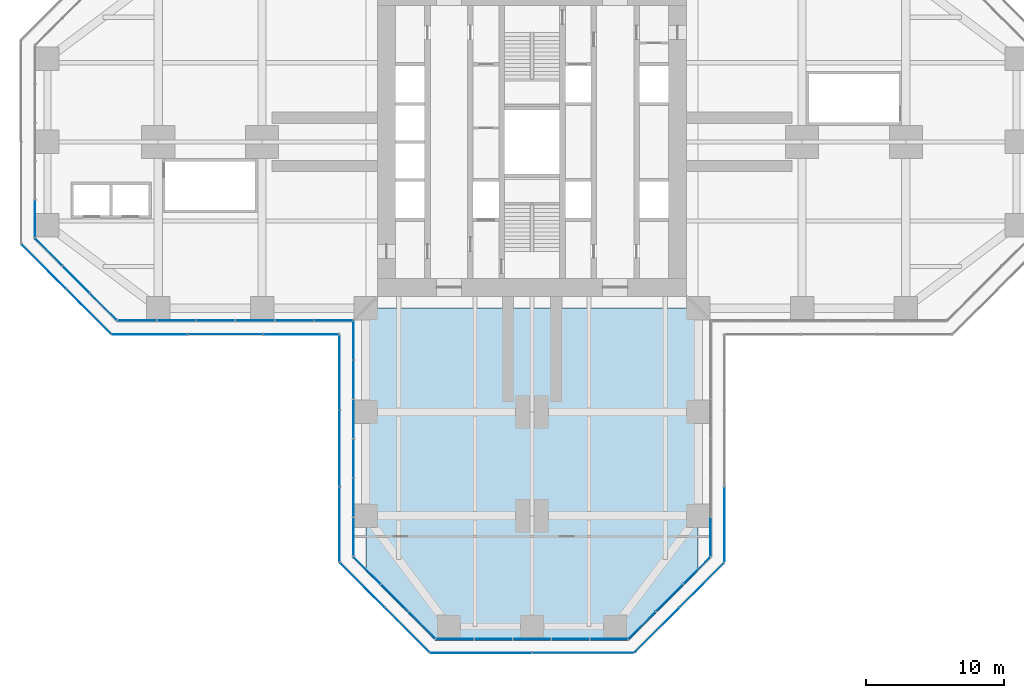
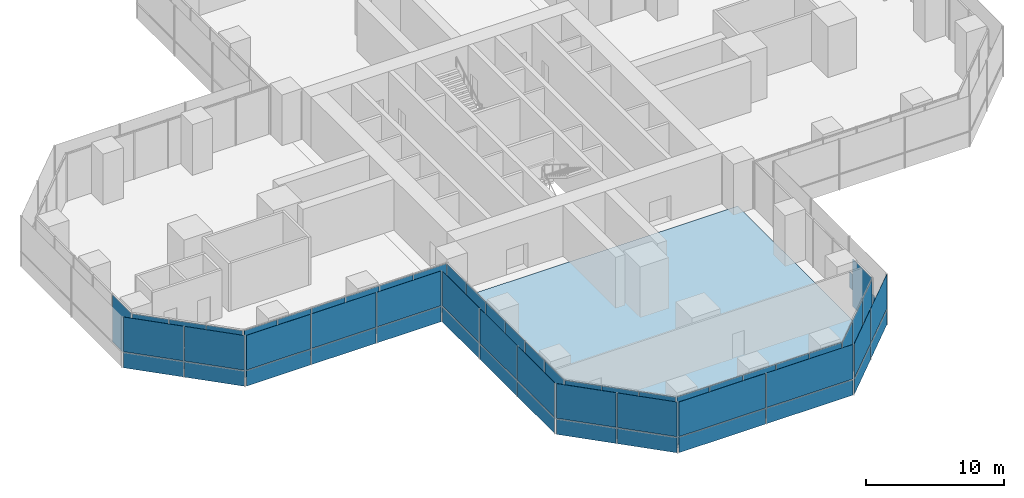
# One storey, part 13 of 21: 57 plates, 1 slab, 15 elements without a shape of their own.
"""IFC4 building model written with IfcOpenShell, lengths in metres."""

from ifc_helpers import new_model, si_unit, direction, frame, origin, origin_2d, place, context, subcontext, project, spatial, polyline, rectangle, outline, extrude, material, layer, layer_set, type_object, element, aggregate, save


model = new_model("IFC4")

# Units and contexts
model_context = context("Model", 3, precision=1e-05, world=origin(), true_north=direction((0.0, 1.0)))
body_context = subcontext(model_context, "Body", "Model", "MODEL_VIEW")
ifc_project = project(units=[si_unit("LENGTHUNIT", "METRE"), si_unit("AREAUNIT", "SQUARE_METRE"), si_unit("VOLUMEUNIT", "CUBIC_METRE"), si_unit("PLANEANGLEUNIT", "RADIAN"), si_unit("MASSUNIT", "GRAM", prefix="KILO")], contexts=[model_context])

# Site, building, storey
site_placement = place(None, origin())
site = spatial("IfcSite", under=ifc_project, at=site_placement, CompositionType="ELEMENT")
building_placement = place(site_placement, origin())
building = spatial("IfcBuilding", under=site, at=building_placement, Name="Mizan Broadcast Tower", CompositionType="ELEMENT")
storey_placement = place(building_placement, frame((0.0, 0.0, 33.0)))
storey = spatial("IfcBuildingStorey", under=building, at=storey_placement, Name="L05", CompositionType="ELEMENT", Elevation=33.0)

# Curtain wall, plates
ifc_material_1 = material(Name="Aluminium framed glazing", Category="aluminium")
curtain_wall_type_1 = type_object("IfcCurtainWallType", Name="OUTER SKIN", PredefinedType="USERDEFINED", material=ifc_material_1)
curtain_wall_1_placement = place(storey_placement, origin())
curtain_wall_1 = element("IfcCurtainWall", 1, at=curtain_wall_1_placement, inside=storey, type_object=curtain_wall_type_1, Name="Outer skin L05 W chamfer", ObjectType="OUTER SKIN", PredefinedType="USERDEFINED")
ifc_material_2 = material(Name="Laminated clear glass", Category="glass")
ifc_layer_1 = layer(ifc_material_2, 0.02001953125)
ifc_layer_set_1 = layer_set([ifc_layer_1], Name="Laminated clear glass")
plate_type_1 = type_object("IfcPlateType", Name="OUTER SKIN CLEAR GLASS", PredefinedType="CURTAIN_PANEL", material=ifc_layer_set_1)
plate_1_placement = place(storey_placement, frame((-35.254150390625, -9.018798828125, 0.0), z_axis=(0.0, 0.0, 1.0), x_axis=(0.707106781187, -0.707106781187, 0.0)))
plate_1 = element("IfcPlate", 2, at=plate_1_placement, type_object=plate_type_1, Name="Outer skin L05 W chamfer panel 1.1", PredefinedType="CURTAIN_PANEL", context=body_context, shape_type="SweptSolid", body=[
    extrude(rectangle(XDim=4.495361328125, YDim=0.02001953125, at=origin_2d()), origin(), (0.0, 0.0, 1.0), 1.3701171875),
])
plate_2_placement = place(storey_placement, frame((-35.254150390625, -9.018798828125, 1.43017578125), z_axis=(0.0, 0.0, 1.0), x_axis=(0.707106781187, -0.707106781187, 0.0)))
plate_2 = element("IfcPlate", 3, at=plate_2_placement, type_object=plate_type_1, Name="Outer skin L05 W chamfer panel 1.2", PredefinedType="CURTAIN_PANEL", context=body_context, shape_type="SweptSolid", body=[
    extrude(rectangle(XDim=4.495361328125, YDim=0.02001953125, at=origin_2d()), origin(), (0.0, 0.0, 1.0), 3.070068359375),
])

curtain_wall_2_placement = place(storey_placement, origin())
curtain_wall_2 = element("IfcCurtainWall", 4, at=curtain_wall_2_placement, inside=storey, type_object=curtain_wall_type_1, Name="Outer skin L05 W side", ObjectType="OUTER SKIN", PredefinedType="USERDEFINED")
plate_3_placement = place(storey_placement, frame((-27.607421875, -13.89990234375, 0.0), z_axis=(0.0, 0.0, 1.0), x_axis=(1.0, 0.0, 0.0)))
plate_3 = element("IfcPlate", 5, at=plate_3_placement, type_object=plate_type_1, Name="Outer skin L05 W side panel 1.1", PredefinedType="CURTAIN_PANEL", context=body_context, shape_type="SweptSolid", body=[
    extrude(rectangle(XDim=5.370849609375, YDim=0.02001953125, at=origin_2d()), origin(), (0.0, 0.0, 1.0), 1.3701171875),
])
plate_4_placement = place(storey_placement, frame((-27.607421875, -13.89990234375, 1.43017578125), z_axis=(0.0, 0.0, 1.0), x_axis=(1.0, 0.0, 0.0)))
plate_4 = element("IfcPlate", 6, at=plate_4_placement, type_object=plate_type_1, Name="Outer skin L05 W side panel 1.2", PredefinedType="CURTAIN_PANEL", context=body_context, shape_type="SweptSolid", body=[
    extrude(rectangle(XDim=5.370849609375, YDim=0.02001953125, at=origin_2d()), origin(), (0.0, 0.0, 1.0), 3.070068359375),
])
plate_5_placement = place(storey_placement, frame((-16.66552734375, -13.89990234375, 0.0), z_axis=(0.0, 0.0, 1.0), x_axis=(1.0, 0.0, 0.0)))
plate_5 = element("IfcPlate", 7, at=plate_5_placement, type_object=plate_type_1, Name="Outer skin L05 W side panel 3.1", PredefinedType="CURTAIN_PANEL", context=body_context, shape_type="SweptSolid", body=[
    extrude(rectangle(XDim=5.370849609375, YDim=0.02001953125, at=origin_2d()), origin(), (0.0, 0.0, 1.0), 1.3701171875),
])
plate_6_placement = place(storey_placement, frame((-16.66552734375, -13.89990234375, 1.43017578125), z_axis=(0.0, 0.0, 1.0), x_axis=(1.0, 0.0, 0.0)))
plate_6 = element("IfcPlate", 8, at=plate_6_placement, type_object=plate_type_1, Name="Outer skin L05 W side panel 3.2", PredefinedType="CURTAIN_PANEL", context=body_context, shape_type="SweptSolid", body=[
    extrude(rectangle(XDim=5.370849609375, YDim=0.02001953125, at=origin_2d()), origin(), (0.0, 0.0, 1.0), 3.070068359375),
])

curtain_wall_3_placement = place(storey_placement, origin())
curtain_wall_3 = element("IfcCurtainWall", 9, at=curtain_wall_3_placement, inside=storey, type_object=curtain_wall_type_1, Name="Outer skin L05 S side", ObjectType="OUTER SKIN", PredefinedType="USERDEFINED")
plate_7_placement = place(storey_placement, frame((-13.89990234375, -16.66552734375, 0.0), z_axis=(0.0, 0.0, 1.0), x_axis=(0.0, -1.0, 0.0)))
plate_7 = element("IfcPlate", 10, at=plate_7_placement, type_object=plate_type_1, Name="Outer skin L05 S side panel 1.1", PredefinedType="CURTAIN_PANEL", context=body_context, shape_type="SweptSolid", body=[
    extrude(rectangle(XDim=5.370849609375, YDim=0.02001953125, at=origin_2d()), origin(), (0.0, 0.0, 1.0), 1.3701171875),
])
plate_8_placement = place(storey_placement, frame((-13.89990234375, -16.66552734375, 1.43017578125), z_axis=(0.0, 0.0, 1.0), x_axis=(0.0, -1.0, 0.0)))
plate_8 = element("IfcPlate", 11, at=plate_8_placement, type_object=plate_type_1, Name="Outer skin L05 S side panel 1.2", PredefinedType="CURTAIN_PANEL", context=body_context, shape_type="SweptSolid", body=[
    extrude(rectangle(XDim=5.370849609375, YDim=0.02001953125, at=origin_2d()), origin(), (0.0, 0.0, 1.0), 3.070068359375),
])
plate_9_placement = place(storey_placement, frame((-13.89990234375, -27.607421875, 0.0), z_axis=(0.0, 0.0, 1.0), x_axis=(0.0, -1.0, 0.0)))
plate_9 = element("IfcPlate", 12, at=plate_9_placement, type_object=plate_type_1, Name="Outer skin L05 S side panel 3.1", PredefinedType="CURTAIN_PANEL", context=body_context, shape_type="SweptSolid", body=[
    extrude(rectangle(XDim=5.370849609375, YDim=0.02001953125, at=origin_2d()), origin(), (0.0, 0.0, 1.0), 1.3701171875),
])
plate_10_placement = place(storey_placement, frame((-13.89990234375, -27.607421875, 1.43017578125), z_axis=(0.0, 0.0, 1.0), x_axis=(0.0, -1.0, 0.0)))
plate_10 = element("IfcPlate", 13, at=plate_10_placement, type_object=plate_type_1, Name="Outer skin L05 S side panel 3.2", PredefinedType="CURTAIN_PANEL", context=body_context, shape_type="SweptSolid", body=[
    extrude(rectangle(XDim=5.370849609375, YDim=0.02001953125, at=origin_2d()), origin(), (0.0, 0.0, 1.0), 3.070068359375),
])

curtain_wall_4_placement = place(storey_placement, origin())
curtain_wall_4 = element("IfcCurtainWall", 14, at=curtain_wall_4_placement, inside=storey, type_object=curtain_wall_type_1, Name="Outer skin L05 S chamfer", ObjectType="OUTER SKIN", PredefinedType="USERDEFINED")
plate_11_placement = place(storey_placement, frame((-12.254150390625, -32.018798828125, 0.0), z_axis=(0.0, 0.0, 1.0), x_axis=(0.707106781187, -0.707106781187, 0.0)))
plate_11 = element("IfcPlate", 15, at=plate_11_placement, type_object=plate_type_1, Name="Outer skin L05 S chamfer panel 1.1", PredefinedType="CURTAIN_PANEL", context=body_context, shape_type="SweptSolid", body=[
    extrude(rectangle(XDim=4.495361328125, YDim=0.02001953125, at=origin_2d()), origin(), (0.0, 0.0, 1.0), 1.3701171875),
])
plate_12_placement = place(storey_placement, frame((-12.254150390625, -32.018798828125, 1.43017578125), z_axis=(0.0, 0.0, 1.0), x_axis=(0.707106781187, -0.707106781187, 0.0)))
plate_12 = element("IfcPlate", 16, at=plate_12_placement, type_object=plate_type_1, Name="Outer skin L05 S chamfer panel 1.2", PredefinedType="CURTAIN_PANEL", context=body_context, shape_type="SweptSolid", body=[
    extrude(rectangle(XDim=4.495361328125, YDim=0.02001953125, at=origin_2d()), origin(), (0.0, 0.0, 1.0), 3.070068359375),
])

curtain_wall_5_placement = place(storey_placement, origin())
curtain_wall_5 = element("IfcCurtainWall", 17, at=curtain_wall_5_placement, inside=storey, type_object=curtain_wall_type_1, Name="Outer skin L05 S end", ObjectType="OUTER SKIN", PredefinedType="USERDEFINED")
plate_13_placement = place(storey_placement, frame((-3.66650390625, -36.89990234375, 0.0), z_axis=(0.0, 0.0, 1.0), x_axis=(1.0, 0.0, 0.0)))
plate_13 = element("IfcPlate", 18, at=plate_13_placement, type_object=plate_type_1, Name="Outer skin L05 S end panel 1.1", PredefinedType="CURTAIN_PANEL", context=body_context, shape_type="SweptSolid", body=[
    extrude(rectangle(XDim=7.252685546875, YDim=0.02001953125, at=origin_2d()), origin(), (0.0, 0.0, 1.0), 1.3701171875),
])
plate_14_placement = place(storey_placement, frame((-3.66650390625, -36.89990234375, 1.43017578125), z_axis=(0.0, 0.0, 1.0), x_axis=(1.0, 0.0, 0.0)))
plate_14 = element("IfcPlate", 19, at=plate_14_placement, type_object=plate_type_1, Name="Outer skin L05 S end panel 1.2", PredefinedType="CURTAIN_PANEL", context=body_context, shape_type="SweptSolid", body=[
    extrude(rectangle(XDim=7.252685546875, YDim=0.02001953125, at=origin_2d()), origin(), (0.0, 0.0, 1.0), 3.070068359375),
])

curtain_wall_6_placement = place(storey_placement, origin())
curtain_wall_6 = element("IfcCurtainWall", 20, at=curtain_wall_6_placement, inside=storey, type_object=curtain_wall_type_1, Name="Outer skin L05 S chamfer", ObjectType="OUTER SKIN", PredefinedType="USERDEFINED")
plate_15_placement = place(storey_placement, frame((9.018798828125, -35.254150390625, 0.0), z_axis=(0.0, 0.0, 1.0), x_axis=(0.707106781187, 0.707106781187, 0.0)))
plate_15 = element("IfcPlate", 21, at=plate_15_placement, type_object=plate_type_1, Name="Outer skin L05 S chamfer panel 1.1", PredefinedType="CURTAIN_PANEL", context=body_context, shape_type="SweptSolid", body=[
    extrude(rectangle(XDim=4.495361328125, YDim=0.02001953125, at=origin_2d()), origin(), (0.0, 0.0, 1.0), 1.3701171875),
])
plate_16_placement = place(storey_placement, frame((9.018798828125, -35.254150390625, 1.43017578125), z_axis=(0.0, 0.0, 1.0), x_axis=(0.707106781187, 0.707106781187, 0.0)))
plate_16 = element("IfcPlate", 22, at=plate_16_placement, type_object=plate_type_1, Name="Outer skin L05 S chamfer panel 1.2", PredefinedType="CURTAIN_PANEL", context=body_context, shape_type="SweptSolid", body=[
    extrude(rectangle(XDim=4.495361328125, YDim=0.02001953125, at=origin_2d()), origin(), (0.0, 0.0, 1.0), 3.070068359375),
])

# Curtain wall, plate
curtain_wall_7_placement = place(storey_placement, origin())
curtain_wall_7 = element("IfcCurtainWall", 23, at=curtain_wall_7_placement, inside=storey, type_object=curtain_wall_type_1, Name="Outer skin L05 S side", ObjectType="OUTER SKIN", PredefinedType="USERDEFINED")
plate_17_placement = place(storey_placement, frame((13.89990234375, -27.607421875, 0.0), z_axis=(0.0, 0.0, 1.0), x_axis=(0.0, 1.0, 0.0)))
plate_17 = element("IfcPlate", 24, at=plate_17_placement, type_object=plate_type_1, Name="Outer skin L05 S side panel 1.1", PredefinedType="CURTAIN_PANEL", context=body_context, shape_type="SweptSolid", body=[
    extrude(rectangle(XDim=5.370849609375, YDim=0.02001953125, at=origin_2d()), origin(), (0.0, 0.0, 1.0), 1.3701171875),
])
aggregate(curtain_wall_7, [plate_17])

# Plate
ifc_material_3 = material(Name="Perforated aluminium, pale anodised", Category="aluminium")
ifc_layer_2 = layer(ifc_material_3, 0.011962890625)
ifc_layer_set_2 = layer_set([ifc_layer_2], Name="Perforated aluminium, pale anodised")
plate_type_2 = type_object("IfcPlateType", Name="OUTER SKIN PERFORATED SCREEN", PredefinedType="USERDEFINED", material=ifc_layer_set_2)
plate_18_placement = place(storey_placement, frame((-32.018798828125, -12.254150390625, 0.0), z_axis=(0.0, 0.0, 1.0), x_axis=(0.707106781187, -0.707106781187, 0.0)))
plate_18 = element("IfcPlate", 25, at=plate_18_placement, type_object=plate_type_2, Name="Outer skin L05 W chamfer panel 2.1", ObjectType="SCREEN", PredefinedType="USERDEFINED", context=body_context, shape_type="SweptSolid", body=[
    extrude(rectangle(XDim=4.495361328125, YDim=0.011962890625, at=origin_2d()), origin(), (0.0, 0.0, 1.0), 1.3701171875),
])

plate_19_placement = place(storey_placement, frame((-32.018798828125, -12.254150390625, 1.43017578125), z_axis=(0.0, 0.0, 1.0), x_axis=(0.707106781187, -0.707106781187, 0.0)))
plate_19 = element("IfcPlate", 26, at=plate_19_placement, type_object=plate_type_2, Name="Outer skin L05 W chamfer panel 2.2", ObjectType="SCREEN", PredefinedType="USERDEFINED", context=body_context, shape_type="SweptSolid", body=[
    extrude(rectangle(XDim=4.495361328125, YDim=0.011962890625, at=origin_2d()), origin(), (0.0, 0.0, 1.0), 3.070068359375),
])

aggregate(curtain_wall_1, [plate_1, plate_2, plate_18, plate_19])

plate_20_placement = place(storey_placement, frame((-22.136474609375, -13.89990234375, 0.0), z_axis=(0.0, 0.0, 1.0), x_axis=(1.0, 0.0, 0.0)))
plate_20 = element("IfcPlate", 27, at=plate_20_placement, type_object=plate_type_2, Name="Outer skin L05 W side panel 2.1", ObjectType="SCREEN", PredefinedType="USERDEFINED", context=body_context, shape_type="SweptSolid", body=[
    extrude(rectangle(XDim=5.410888671875, YDim=0.011962890625, at=origin_2d()), origin(), (0.0, 0.0, 1.0), 1.3701171875),
])

plate_21_placement = place(storey_placement, frame((-22.136474609375, -13.89990234375, 1.43017578125), z_axis=(0.0, 0.0, 1.0), x_axis=(1.0, 0.0, 0.0)))
plate_21 = element("IfcPlate", 28, at=plate_21_placement, type_object=plate_type_2, Name="Outer skin L05 W side panel 2.2", ObjectType="SCREEN", PredefinedType="USERDEFINED", context=body_context, shape_type="SweptSolid", body=[
    extrude(rectangle(XDim=5.410888671875, YDim=0.011962890625, at=origin_2d()), origin(), (0.0, 0.0, 1.0), 3.070068359375),
])

aggregate(curtain_wall_2, [plate_3, plate_4, plate_20, plate_21, plate_5, plate_6])

plate_22_placement = place(storey_placement, frame((-13.89990234375, -22.136474609375, 0.0), z_axis=(0.0, 0.0, 1.0), x_axis=(0.0, -1.0, 0.0)))
plate_22 = element("IfcPlate", 29, at=plate_22_placement, type_object=plate_type_2, Name="Outer skin L05 S side panel 2.1", ObjectType="SCREEN", PredefinedType="USERDEFINED", context=body_context, shape_type="SweptSolid", body=[
    extrude(rectangle(XDim=5.410888671875, YDim=0.011962890625, at=origin_2d()), origin(), (0.0, 0.0, 1.0), 1.3701171875),
])

plate_23_placement = place(storey_placement, frame((-13.89990234375, -22.136474609375, 1.43017578125), z_axis=(0.0, 0.0, 1.0), x_axis=(0.0, -1.0, 0.0)))
plate_23 = element("IfcPlate", 30, at=plate_23_placement, type_object=plate_type_2, Name="Outer skin L05 S side panel 2.2", ObjectType="SCREEN", PredefinedType="USERDEFINED", context=body_context, shape_type="SweptSolid", body=[
    extrude(rectangle(XDim=5.410888671875, YDim=0.011962890625, at=origin_2d()), origin(), (0.0, 0.0, 1.0), 3.070068359375),
])

aggregate(curtain_wall_3, [plate_7, plate_8, plate_22, plate_23, plate_9, plate_10])

plate_24_placement = place(storey_placement, frame((-9.018798828125, -35.254150390625, 0.0), z_axis=(0.0, 0.0, 1.0), x_axis=(0.707106781187, -0.707106781187, 0.0)))
plate_24 = element("IfcPlate", 31, at=plate_24_placement, type_object=plate_type_2, Name="Outer skin L05 S chamfer panel 2.1", ObjectType="SCREEN", PredefinedType="USERDEFINED", context=body_context, shape_type="SweptSolid", body=[
    extrude(rectangle(XDim=4.495361328125, YDim=0.011962890625, at=origin_2d()), origin(), (0.0, 0.0, 1.0), 1.3701171875),
])

plate_25_placement = place(storey_placement, frame((-9.018798828125, -35.254150390625, 1.43017578125), z_axis=(0.0, 0.0, 1.0), x_axis=(0.707106781187, -0.707106781187, 0.0)))
plate_25 = element("IfcPlate", 32, at=plate_25_placement, type_object=plate_type_2, Name="Outer skin L05 S chamfer panel 2.2", ObjectType="SCREEN", PredefinedType="USERDEFINED", context=body_context, shape_type="SweptSolid", body=[
    extrude(rectangle(XDim=4.495361328125, YDim=0.011962890625, at=origin_2d()), origin(), (0.0, 0.0, 1.0), 3.070068359375),
])

aggregate(curtain_wall_4, [plate_11, plate_12, plate_24, plate_25])

plate_26_placement = place(storey_placement, frame((3.66650390625, -36.89990234375, 0.0), z_axis=(0.0, 0.0, 1.0), x_axis=(1.0, 0.0, 0.0)))
plate_26 = element("IfcPlate", 33, at=plate_26_placement, type_object=plate_type_2, Name="Outer skin L05 S end panel 2.1", ObjectType="SCREEN", PredefinedType="USERDEFINED", context=body_context, shape_type="SweptSolid", body=[
    extrude(rectangle(XDim=7.252685546875, YDim=0.011962890625, at=origin_2d()), origin(), (0.0, 0.0, 1.0), 1.3701171875),
])

plate_27_placement = place(storey_placement, frame((3.66650390625, -36.89990234375, 1.43017578125), z_axis=(0.0, 0.0, 1.0), x_axis=(1.0, 0.0, 0.0)))
plate_27 = element("IfcPlate", 34, at=plate_27_placement, type_object=plate_type_2, Name="Outer skin L05 S end panel 2.2", ObjectType="SCREEN", PredefinedType="USERDEFINED", context=body_context, shape_type="SweptSolid", body=[
    extrude(rectangle(XDim=7.252685546875, YDim=0.011962890625, at=origin_2d()), origin(), (0.0, 0.0, 1.0), 3.070068359375),
])

aggregate(curtain_wall_5, [plate_13, plate_14, plate_26, plate_27])

plate_28_placement = place(storey_placement, frame((12.254150390625, -32.018798828125, 0.0), z_axis=(0.0, 0.0, 1.0), x_axis=(0.707106781187, 0.707106781187, 0.0)))
plate_28 = element("IfcPlate", 35, at=plate_28_placement, type_object=plate_type_2, Name="Outer skin L05 S chamfer panel 2.1", ObjectType="SCREEN", PredefinedType="USERDEFINED", context=body_context, shape_type="SweptSolid", body=[
    extrude(rectangle(XDim=4.495361328125, YDim=0.011962890625, at=origin_2d()), origin(), (0.0, 0.0, 1.0), 1.3701171875),
])

plate_29_placement = place(storey_placement, frame((12.254150390625, -32.018798828125, 1.43017578125), z_axis=(0.0, 0.0, 1.0), x_axis=(0.707106781187, 0.707106781187, 0.0)))
plate_29 = element("IfcPlate", 36, at=plate_29_placement, type_object=plate_type_2, Name="Outer skin L05 S chamfer panel 2.2", ObjectType="SCREEN", PredefinedType="USERDEFINED", context=body_context, shape_type="SweptSolid", body=[
    extrude(rectangle(XDim=4.495361328125, YDim=0.011962890625, at=origin_2d()), origin(), (0.0, 0.0, 1.0), 3.070068359375),
])

aggregate(curtain_wall_6, [plate_15, plate_16, plate_28, plate_29])

# Curtain wall, plate
ifc_material_4 = material(Name="Aluminium framed glazing", Category="aluminium")
curtain_wall_type_2 = type_object("IfcCurtainWallType", Name="PODIUM CURTAIN WALL", PredefinedType="USERDEFINED", material=ifc_material_4)
curtain_wall_8_placement = place(storey_placement, origin())
curtain_wall_8 = element("IfcCurtainWall", 37, at=curtain_wall_8_placement, inside=storey, type_object=curtain_wall_type_2, Name="Podium curtain wall L05 W end", ObjectType="PODIUM CURTAIN WALL", PredefinedType="USERDEFINED")
ifc_material_5 = material(Name="Double glazing, clear laminated", Category="glass")
ifc_layer_3 = layer(ifc_material_5, 0.031982421875)
ifc_layer_set_3 = layer_set([ifc_layer_3], Name="Double glazing, clear laminated")
plate_type_3 = type_object("IfcPlateType", Name="PODIUM GLAZING UNIT", PredefinedType="CURTAIN_PANEL", material=ifc_layer_set_3)
plate_30_placement = place(storey_placement, frame((-35.89990234375, -5.5517578125, 0.0), z_axis=(0.0, 0.0, 1.0), x_axis=(0.0, -1.0, 0.0)))
plate_30 = element("IfcPlate", 38, at=plate_30_placement, type_object=plate_type_3, Name="Podium curtain wall L05 W end panel 5.1", PredefinedType="CURTAIN_PANEL", context=body_context, shape_type="SweptSolid", body=[
    extrude(rectangle(XDim=2.693359375, YDim=0.031982421875, at=origin_2d()), origin(), (0.0, 0.0, 1.0), 4.18994140625),
])
aggregate(curtain_wall_8, [plate_30])

# Curtain wall, plates
curtain_wall_9_placement = place(storey_placement, origin())
curtain_wall_9 = element("IfcCurtainWall", 39, at=curtain_wall_9_placement, inside=storey, type_object=curtain_wall_type_2, Name="Podium curtain wall L05 W chamfer", ObjectType="PODIUM CURTAIN WALL", PredefinedType="USERDEFINED")
plate_31_placement = place(storey_placement, frame((-34.899169921875, -7.95947265625, 0.0), z_axis=(0.0, 0.0, 1.0), x_axis=(0.707106781187, -0.707106781187, 0.0)))
plate_31 = element("IfcPlate", 40, at=plate_31_placement, type_object=plate_type_3, Name="Podium curtain wall L05 W chamfer panel 1.1", PredefinedType="CURTAIN_PANEL", context=body_context, shape_type="SweptSolid", body=[
    extrude(rectangle(XDim=2.710693359375, YDim=0.031982421875, at=origin_2d()), origin(), (0.0, 0.0, 1.0), 4.18994140625),
])
plate_32_placement = place(storey_placement, frame((-32.92919921875, -9.92919921875, 0.0), z_axis=(0.0, 0.0, 1.0), x_axis=(0.707106781187, -0.707106781187, 0.0)))
plate_32 = element("IfcPlate", 41, at=plate_32_placement, type_object=plate_type_3, Name="Podium curtain wall L05 W chamfer panel 2.1", PredefinedType="CURTAIN_PANEL", context=body_context, shape_type="SweptSolid", body=[
    extrude(rectangle(XDim=2.74072265625, YDim=0.031982421875, at=origin_2d()), origin(), (0.0, 0.0, 1.0), 4.18994140625),
])
plate_33_placement = place(storey_placement, frame((-30.95947265625, -11.899169921875, 0.0), z_axis=(0.0, 0.0, 1.0), x_axis=(0.707106781187, -0.707106781187, 0.0)))
plate_33 = element("IfcPlate", 42, at=plate_33_placement, type_object=plate_type_3, Name="Podium curtain wall L05 W chamfer panel 3.1", PredefinedType="CURTAIN_PANEL", context=body_context, shape_type="SweptSolid", body=[
    extrude(rectangle(XDim=2.710693359375, YDim=0.031982421875, at=origin_2d()), origin(), (0.0, 0.0, 1.0), 4.18994140625),
])
aggregate(curtain_wall_9, [plate_31, plate_32, plate_33])

curtain_wall_10_placement = place(storey_placement, origin())
curtain_wall_10 = element("IfcCurtainWall", 43, at=curtain_wall_10_placement, inside=storey, type_object=curtain_wall_type_2, Name="Podium curtain wall L05 W side", ObjectType="PODIUM CURTAIN WALL", PredefinedType="USERDEFINED")
plate_34_placement = place(storey_placement, frame((-28.52197265625, -12.89990234375, 0.0), z_axis=(0.0, 0.0, 1.0), x_axis=(1.0, 0.0, 0.0)))
plate_34 = element("IfcPlate", 44, at=plate_34_placement, type_object=plate_type_3, Name="Podium curtain wall L05 W side panel 1.1", PredefinedType="CURTAIN_PANEL", context=body_context, shape_type="SweptSolid", body=[
    extrude(rectangle(XDim=2.753173828125, YDim=0.031982421875, at=origin_2d()), origin(), (0.0, 0.0, 1.0), 4.18994140625),
])
plate_35_placement = place(storey_placement, frame((-25.69384765625, -12.89990234375, 0.0), z_axis=(0.0, 0.0, 1.0), x_axis=(1.0, 0.0, 0.0)))
plate_35 = element("IfcPlate", 45, at=plate_35_placement, type_object=plate_type_3, Name="Podium curtain wall L05 W side panel 2.1", PredefinedType="CURTAIN_PANEL", context=body_context, shape_type="SweptSolid", body=[
    extrude(rectangle(XDim=2.783203125, YDim=0.031982421875, at=origin_2d()), origin(), (0.0, 0.0, 1.0), 4.18994140625),
])
plate_36_placement = place(storey_placement, frame((-22.850830078125, -12.89990234375, 0.0), z_axis=(0.0, 0.0, 1.0), x_axis=(1.0, 0.0, 0.0)))
plate_36 = element("IfcPlate", 46, at=plate_36_placement, type_object=plate_type_3, Name="Podium curtain wall L05 W side panel 3.1", PredefinedType="CURTAIN_PANEL", context=body_context, shape_type="SweptSolid", body=[
    extrude(rectangle(XDim=2.783203125, YDim=0.031982421875, at=origin_2d()), origin(), (0.0, 0.0, 1.0), 4.18994140625),
])
plate_37_placement = place(storey_placement, frame((-20.0078125, -12.89990234375, 0.0), z_axis=(0.0, 0.0, 1.0), x_axis=(1.0, 0.0, 0.0)))
plate_37 = element("IfcPlate", 47, at=plate_37_placement, type_object=plate_type_3, Name="Podium curtain wall L05 W side panel 4.1", PredefinedType="CURTAIN_PANEL", context=body_context, shape_type="SweptSolid", body=[
    extrude(rectangle(XDim=2.783203125, YDim=0.031982421875, at=origin_2d()), origin(), (0.0, 0.0, 1.0), 4.18994140625),
])
plate_38_placement = place(storey_placement, frame((-17.16455078125, -12.89990234375, 0.0), z_axis=(0.0, 0.0, 1.0), x_axis=(1.0, 0.0, 0.0)))
plate_38 = element("IfcPlate", 48, at=plate_38_placement, type_object=plate_type_3, Name="Podium curtain wall L05 W side panel 5.1", PredefinedType="CURTAIN_PANEL", context=body_context, shape_type="SweptSolid", body=[
    extrude(rectangle(XDim=2.783203125, YDim=0.031982421875, at=origin_2d()), origin(), (0.0, 0.0, 1.0), 4.18994140625),
])
plate_39_placement = place(storey_placement, frame((-14.336669921875, -12.89990234375, 0.0), z_axis=(0.0, 0.0, 1.0), x_axis=(1.0, 0.0, 0.0)))
plate_39 = element("IfcPlate", 49, at=plate_39_placement, type_object=plate_type_3, Name="Podium curtain wall L05 W side panel 6.1", PredefinedType="CURTAIN_PANEL", context=body_context, shape_type="SweptSolid", body=[
    extrude(rectangle(XDim=2.753173828125, YDim=0.031982421875, at=origin_2d()), origin(), (0.0, 0.0, 1.0), 4.18994140625),
])
aggregate(curtain_wall_10, [plate_34, plate_35, plate_36, plate_37, plate_38, plate_39])

curtain_wall_11_placement = place(storey_placement, origin())
curtain_wall_11 = element("IfcCurtainWall", 50, at=curtain_wall_11_placement, inside=storey, type_object=curtain_wall_type_2, Name="Podium curtain wall L05 S side", ObjectType="PODIUM CURTAIN WALL", PredefinedType="USERDEFINED")
plate_40_placement = place(storey_placement, frame((-12.89990234375, -14.336669921875, 0.0), z_axis=(0.0, 0.0, 1.0), x_axis=(0.0, -1.0, 0.0)))
plate_40 = element("IfcPlate", 51, at=plate_40_placement, type_object=plate_type_3, Name="Podium curtain wall L05 S side panel 1.1", PredefinedType="CURTAIN_PANEL", context=body_context, shape_type="SweptSolid", body=[
    extrude(rectangle(XDim=2.753173828125, YDim=0.031982421875, at=origin_2d()), origin(), (0.0, 0.0, 1.0), 4.18994140625),
])
plate_41_placement = place(storey_placement, frame((-12.89990234375, -17.16455078125, 0.0), z_axis=(0.0, 0.0, 1.0), x_axis=(0.0, -1.0, 0.0)))
plate_41 = element("IfcPlate", 52, at=plate_41_placement, type_object=plate_type_3, Name="Podium curtain wall L05 S side panel 2.1", PredefinedType="CURTAIN_PANEL", context=body_context, shape_type="SweptSolid", body=[
    extrude(rectangle(XDim=2.783203125, YDim=0.031982421875, at=origin_2d()), origin(), (0.0, 0.0, 1.0), 4.18994140625),
])
plate_42_placement = place(storey_placement, frame((-12.89990234375, -20.0078125, 0.0), z_axis=(0.0, 0.0, 1.0), x_axis=(0.0, -1.0, 0.0)))
plate_42 = element("IfcPlate", 53, at=plate_42_placement, type_object=plate_type_3, Name="Podium curtain wall L05 S side panel 3.1", PredefinedType="CURTAIN_PANEL", context=body_context, shape_type="SweptSolid", body=[
    extrude(rectangle(XDim=2.783203125, YDim=0.031982421875, at=origin_2d()), origin(), (0.0, 0.0, 1.0), 4.18994140625),
])
plate_43_placement = place(storey_placement, frame((-12.89990234375, -22.850830078125, 0.0), z_axis=(0.0, 0.0, 1.0), x_axis=(0.0, -1.0, 0.0)))
plate_43 = element("IfcPlate", 54, at=plate_43_placement, type_object=plate_type_3, Name="Podium curtain wall L05 S side panel 4.1", PredefinedType="CURTAIN_PANEL", context=body_context, shape_type="SweptSolid", body=[
    extrude(rectangle(XDim=2.783203125, YDim=0.031982421875, at=origin_2d()), origin(), (0.0, 0.0, 1.0), 4.18994140625),
])
plate_44_placement = place(storey_placement, frame((-12.89990234375, -25.69384765625, 0.0), z_axis=(0.0, 0.0, 1.0), x_axis=(0.0, -1.0, 0.0)))
plate_44 = element("IfcPlate", 55, at=plate_44_placement, type_object=plate_type_3, Name="Podium curtain wall L05 S side panel 5.1", PredefinedType="CURTAIN_PANEL", context=body_context, shape_type="SweptSolid", body=[
    extrude(rectangle(XDim=2.783203125, YDim=0.031982421875, at=origin_2d()), origin(), (0.0, 0.0, 1.0), 4.18994140625),
])
plate_45_placement = place(storey_placement, frame((-12.89990234375, -28.52197265625, 0.0), z_axis=(0.0, 0.0, 1.0), x_axis=(0.0, -1.0, 0.0)))
plate_45 = element("IfcPlate", 56, at=plate_45_placement, type_object=plate_type_3, Name="Podium curtain wall L05 S side panel 6.1", PredefinedType="CURTAIN_PANEL", context=body_context, shape_type="SweptSolid", body=[
    extrude(rectangle(XDim=2.753173828125, YDim=0.031982421875, at=origin_2d()), origin(), (0.0, 0.0, 1.0), 4.18994140625),
])
aggregate(curtain_wall_11, [plate_40, plate_41, plate_42, plate_43, plate_44, plate_45])

curtain_wall_12_placement = place(storey_placement, origin())
curtain_wall_12 = element("IfcCurtainWall", 57, at=curtain_wall_12_placement, inside=storey, type_object=curtain_wall_type_2, Name="Podium curtain wall L05 S chamfer", ObjectType="PODIUM CURTAIN WALL", PredefinedType="USERDEFINED")
plate_46_placement = place(storey_placement, frame((-11.899169921875, -30.95947265625, 0.0), z_axis=(0.0, 0.0, 1.0), x_axis=(0.707106781187, -0.707106781187, 0.0)))
plate_46 = element("IfcPlate", 58, at=plate_46_placement, type_object=plate_type_3, Name="Podium curtain wall L05 S chamfer panel 1.1", PredefinedType="CURTAIN_PANEL", context=body_context, shape_type="SweptSolid", body=[
    extrude(rectangle(XDim=2.710693359375, YDim=0.031982421875, at=origin_2d()), origin(), (0.0, 0.0, 1.0), 4.18994140625),
])
plate_47_placement = place(storey_placement, frame((-9.92919921875, -32.92919921875, 0.0), z_axis=(0.0, 0.0, 1.0), x_axis=(0.707106781187, -0.707106781187, 0.0)))
plate_47 = element("IfcPlate", 59, at=plate_47_placement, type_object=plate_type_3, Name="Podium curtain wall L05 S chamfer panel 2.1", PredefinedType="CURTAIN_PANEL", context=body_context, shape_type="SweptSolid", body=[
    extrude(rectangle(XDim=2.74072265625, YDim=0.031982421875, at=origin_2d()), origin(), (0.0, 0.0, 1.0), 4.18994140625),
])
plate_48_placement = place(storey_placement, frame((-7.95947265625, -34.899169921875, 0.0), z_axis=(0.0, 0.0, 1.0), x_axis=(0.707106781187, -0.707106781187, 0.0)))
plate_48 = element("IfcPlate", 60, at=plate_48_placement, type_object=plate_type_3, Name="Podium curtain wall L05 S chamfer panel 3.1", PredefinedType="CURTAIN_PANEL", context=body_context, shape_type="SweptSolid", body=[
    extrude(rectangle(XDim=2.710693359375, YDim=0.031982421875, at=origin_2d()), origin(), (0.0, 0.0, 1.0), 4.18994140625),
])
aggregate(curtain_wall_12, [plate_46, plate_47, plate_48])

curtain_wall_13_placement = place(storey_placement, origin())
curtain_wall_13 = element("IfcCurtainWall", 61, at=curtain_wall_13_placement, inside=storey, type_object=curtain_wall_type_2, Name="Podium curtain wall L05 S end", ObjectType="PODIUM CURTAIN WALL", PredefinedType="USERDEFINED")
plate_49_placement = place(storey_placement, frame((-5.5517578125, -35.89990234375, 0.0), z_axis=(0.0, 0.0, 1.0), x_axis=(1.0, 0.0, 0.0)))
plate_49 = element("IfcPlate", 62, at=plate_49_placement, type_object=plate_type_3, Name="Podium curtain wall L05 S end panel 1.1", PredefinedType="CURTAIN_PANEL", context=body_context, shape_type="SweptSolid", body=[
    extrude(rectangle(XDim=2.693359375, YDim=0.031982421875, at=origin_2d()), origin(), (0.0, 0.0, 1.0), 4.18994140625),
])
plate_50_placement = place(storey_placement, frame((-2.783447265625, -35.89990234375, 0.0), z_axis=(0.0, 0.0, 1.0), x_axis=(1.0, 0.0, 0.0)))
plate_50 = element("IfcPlate", 63, at=plate_50_placement, type_object=plate_type_3, Name="Podium curtain wall L05 S end panel 2.1", PredefinedType="CURTAIN_PANEL", context=body_context, shape_type="SweptSolid", body=[
    extrude(rectangle(XDim=2.723388671875, YDim=0.031982421875, at=origin_2d()), origin(), (0.0, 0.0, 1.0), 4.18994140625),
])
plate_51_placement = place(storey_placement, frame((0.0, -35.89990234375, 0.0), z_axis=(0.0, 0.0, 1.0), x_axis=(1.0, 0.0, 0.0)))
plate_51 = element("IfcPlate", 64, at=plate_51_placement, type_object=plate_type_3, Name="Podium curtain wall L05 S end panel 3.1", PredefinedType="CURTAIN_PANEL", context=body_context, shape_type="SweptSolid", body=[
    extrude(rectangle(XDim=2.723388671875, YDim=0.031982421875, at=origin_2d()), origin(), (0.0, 0.0, 1.0), 4.18994140625),
])
plate_52_placement = place(storey_placement, frame((2.783447265625, -35.89990234375, 0.0), z_axis=(0.0, 0.0, 1.0), x_axis=(1.0, 0.0, 0.0)))
plate_52 = element("IfcPlate", 65, at=plate_52_placement, type_object=plate_type_3, Name="Podium curtain wall L05 S end panel 4.1", PredefinedType="CURTAIN_PANEL", context=body_context, shape_type="SweptSolid", body=[
    extrude(rectangle(XDim=2.723388671875, YDim=0.031982421875, at=origin_2d()), origin(), (0.0, 0.0, 1.0), 4.18994140625),
])
plate_53_placement = place(storey_placement, frame((5.5517578125, -35.89990234375, 0.0), z_axis=(0.0, 0.0, 1.0), x_axis=(1.0, 0.0, 0.0)))
plate_53 = element("IfcPlate", 66, at=plate_53_placement, type_object=plate_type_3, Name="Podium curtain wall L05 S end panel 5.1", PredefinedType="CURTAIN_PANEL", context=body_context, shape_type="SweptSolid", body=[
    extrude(rectangle(XDim=2.693359375, YDim=0.031982421875, at=origin_2d()), origin(), (0.0, 0.0, 1.0), 4.18994140625),
])
aggregate(curtain_wall_13, [plate_49, plate_50, plate_51, plate_52, plate_53])

curtain_wall_14_placement = place(storey_placement, origin())
curtain_wall_14 = element("IfcCurtainWall", 67, at=curtain_wall_14_placement, inside=storey, type_object=curtain_wall_type_2, Name="Podium curtain wall L05 S chamfer", ObjectType="PODIUM CURTAIN WALL", PredefinedType="USERDEFINED")
plate_54_placement = place(storey_placement, frame((7.95947265625, -34.899169921875, 0.0), z_axis=(0.0, 0.0, 1.0), x_axis=(0.707106781187, 0.707106781187, 0.0)))
plate_54 = element("IfcPlate", 68, at=plate_54_placement, type_object=plate_type_3, Name="Podium curtain wall L05 S chamfer panel 1.1", PredefinedType="CURTAIN_PANEL", context=body_context, shape_type="SweptSolid", body=[
    extrude(rectangle(XDim=2.710693359375, YDim=0.031982421875, at=origin_2d()), origin(), (0.0, 0.0, 1.0), 4.18994140625),
])
plate_55_placement = place(storey_placement, frame((9.92919921875, -32.92919921875, 0.0), z_axis=(0.0, 0.0, 1.0), x_axis=(0.707106781187, 0.707106781187, 0.0)))
plate_55 = element("IfcPlate", 69, at=plate_55_placement, type_object=plate_type_3, Name="Podium curtain wall L05 S chamfer panel 2.1", PredefinedType="CURTAIN_PANEL", context=body_context, shape_type="SweptSolid", body=[
    extrude(rectangle(XDim=2.74072265625, YDim=0.031982421875, at=origin_2d()), origin(), (0.0, 0.0, 1.0), 4.18994140625),
])
plate_56_placement = place(storey_placement, frame((11.899169921875, -30.95947265625, 0.0), z_axis=(0.0, 0.0, 1.0), x_axis=(0.707106781187, 0.707106781187, 0.0)))
plate_56 = element("IfcPlate", 70, at=plate_56_placement, type_object=plate_type_3, Name="Podium curtain wall L05 S chamfer panel 3.1", PredefinedType="CURTAIN_PANEL", context=body_context, shape_type="SweptSolid", body=[
    extrude(rectangle(XDim=2.710693359375, YDim=0.031982421875, at=origin_2d()), origin(), (0.0, 0.0, 1.0), 4.18994140625),
])
aggregate(curtain_wall_14, [plate_54, plate_55, plate_56])

# Curtain wall, plate
curtain_wall_15_placement = place(storey_placement, origin())
curtain_wall_15 = element("IfcCurtainWall", 71, at=curtain_wall_15_placement, inside=storey, type_object=curtain_wall_type_2, Name="Podium curtain wall L05 S side", ObjectType="PODIUM CURTAIN WALL", PredefinedType="USERDEFINED")
plate_57_placement = place(storey_placement, frame((12.89990234375, -28.52197265625, 0.0), z_axis=(0.0, 0.0, 1.0), x_axis=(0.0, 1.0, 0.0)))
plate_57 = element("IfcPlate", 72, at=plate_57_placement, type_object=plate_type_3, Name="Podium curtain wall L05 S side panel 1.1", PredefinedType="CURTAIN_PANEL", context=body_context, shape_type="SweptSolid", body=[
    extrude(rectangle(XDim=2.753173828125, YDim=0.031982421875, at=origin_2d()), origin(), (0.0, 0.0, 1.0), 4.18994140625),
])
aggregate(curtain_wall_15, [plate_57])

# Slab
ifc_material_6 = material(Name="Concrete C40/50", Category="concrete")
ifc_layer_4 = layer(ifc_material_6, 0.25)
ifc_layer_set_4 = layer_set([ifc_layer_4], Name="Concrete C40/50")
slab_type = type_object("IfcSlabType", Name="RC FLAT SLAB 250", PredefinedType="FLOOR", material=ifc_layer_set_4)
slab_placement = place(storey_placement, frame((0.0, 0.0, -0.25)))
element("IfcSlab", 73, at=slab_placement, inside=storey, type_object=slab_type, Name="Floor slab L05 south arm", PredefinedType="FLOOR", context=body_context, shape_type="SweptSolid", body=[
    extrude(outline(polyline([(7.0, -36.0), (12.0, -31.0), (12.0, -12.0), (-12.0, -12.0), (-12.0, -31.0), (-7.0, -36.0), (7.0, -36.0)])), origin(), (0.0, 0.0, 1.0), 0.25),
])

save(model, "model.ifc")
